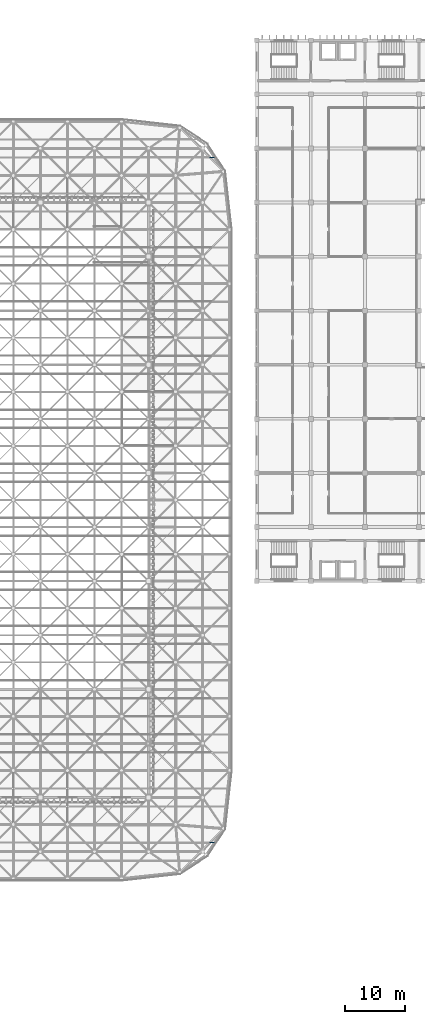
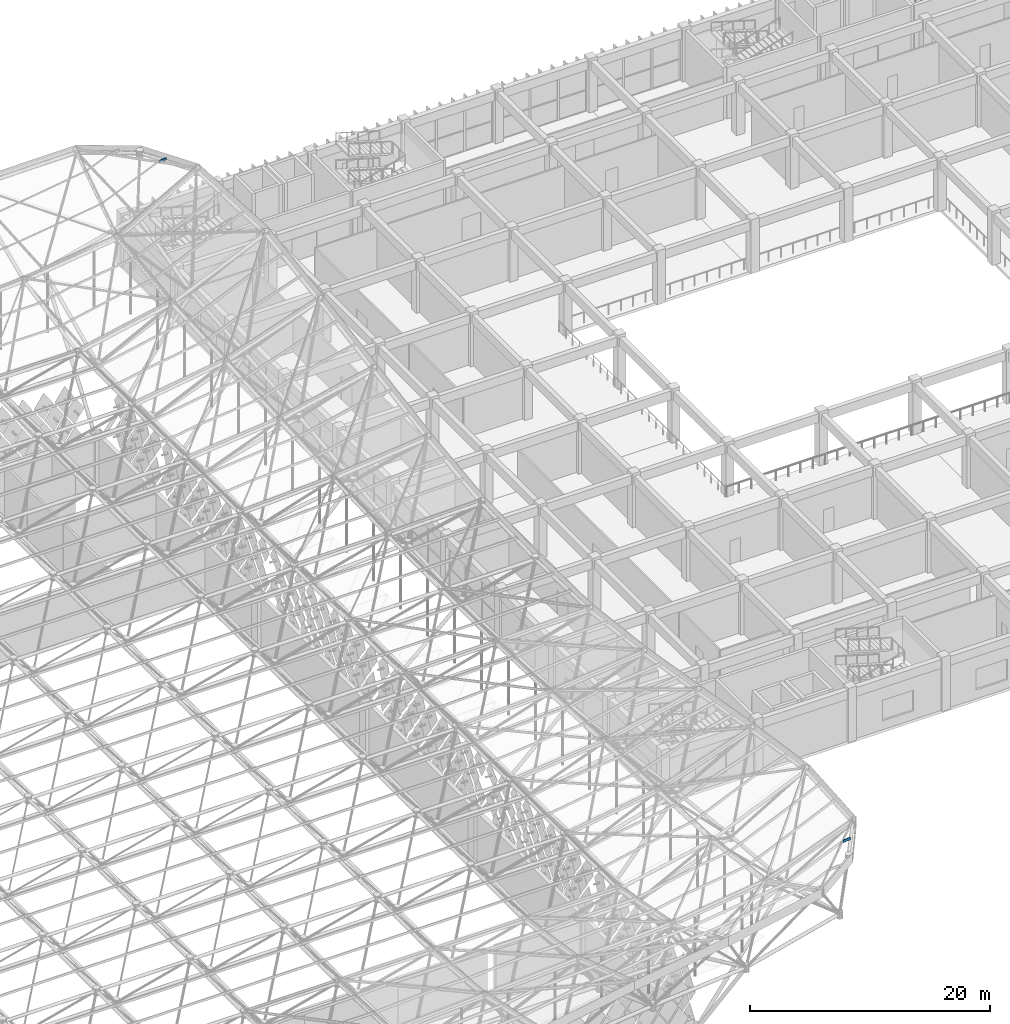
# One storey, part 237 of 437: 2 members.
"""IFC4 building model written with IfcOpenShell, lengths in metres."""

from ifc_helpers import new_model, si_unit, direction, frame, origin, place, context, subcontext, project, spatial, polyline, outline, extrude, material, material_profile, profile_set, type_object, element, save


model = new_model("IFC4")

# Units and contexts
model_context = context("Model", 3, precision=1e-05, world=origin(), true_north=direction((0.0, 1.0)))
body_context = subcontext(model_context, "Body", "Model", "MODEL_VIEW")
ifc_project = project(units=[si_unit("LENGTHUNIT", "METRE"), si_unit("AREAUNIT", "SQUARE_METRE"), si_unit("VOLUMEUNIT", "CUBIC_METRE"), si_unit("PLANEANGLEUNIT", "RADIAN"), si_unit("MASSUNIT", "GRAM", prefix="KILO")], contexts=[model_context])

# Site, building, storey
site_placement = place(None, origin())
site = spatial("IfcSite", under=ifc_project, at=site_placement, CompositionType="ELEMENT")
building_placement = place(site_placement, origin())
building = spatial("IfcBuilding", under=site, at=building_placement, Name="Opaline Strait Convention Centre", CompositionType="ELEMENT")
storey_placement = place(building_placement, frame((0.0, 0.0, 11.5)))
storey = spatial("IfcBuildingStorey", under=building, at=storey_placement, Name="L02", CompositionType="ELEMENT", Elevation=11.5)

# Members
ifc_material = material(Name="Steel Q355B", Category="steel")
ifc_material_profile = material_profile(ifc_material, outline(polyline([(-0.03759765625, -0.125), (0.03759765625, -0.125), (0.03759765625, -0.10498046875), (0.034912109375, -0.10498046875), (0.034912109375, -0.12255859375), (-0.034912109375, -0.12255859375), (-0.034912109375, 0.12255859375), (0.034912109375, 0.12255859375), (0.034912109375, 0.10498046875), (0.03759765625, 0.10498046875), (0.03759765625, 0.125), (-0.03759765625, 0.125), (-0.03759765625, -0.125)])), Name="C 250x75x20x2.5")
ifc_profile_set = profile_set([ifc_material_profile], Name="Steel Q355B")
member_type = type_object("IfcMemberType", Name="Roof purlin C 250x75x20x2.5", PredefinedType="PURLIN", material=ifc_profile_set)
for number, where, z_axis, x_axis, name in (
    (1, (271.188720703125, 46.5, 24.991455078125), (0.994689427087, 0.0, 0.102922027002), (0.010597484213, 0.994684861285, -0.1024193344), "EXB-RF-P-20-0-1a"),
    (2, (271.188720703125, 160.5, 24.991455078125), (0.994689427087, 0.0, 0.102922027002), (-0.010597484213, 0.994684861285, 0.1024193344), "EXB-RF-P-20-13-0a"),
):
    element("IfcMember", number, at=place(storey_placement, frame(where, z_axis=z_axis, x_axis=x_axis)), inside=storey, type_object=member_type, Name=name, PredefinedType="PURLIN", context=body_context, shape_type="SweptSolid", body=[
        extrude(outline(polyline([(-0.03759765625, -0.125), (0.03759765625, -0.125), (0.03759765625, -0.10498046875), (0.034912109375, -0.10498046875), (0.034912109375, -0.12255859375), (-0.034912109375, -0.12255859375), (-0.034912109375, 0.12255859375), (0.034912109375, 0.12255859375), (0.034912109375, 0.10498046875), (0.03759765625, 0.10498046875), (0.03759765625, 0.125), (-0.03759765625, 0.125), (-0.03759765625, -0.125)])), origin(), (0.0, 0.0, 1.0), 0.728271484375),
    ])

save(model, "model.ifc")
